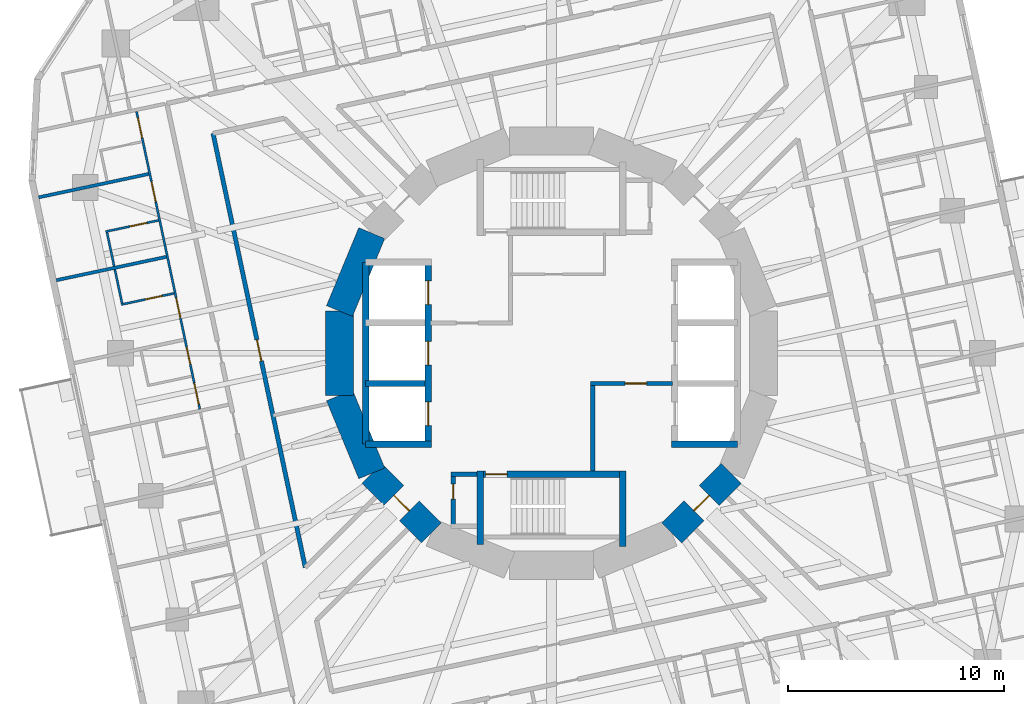
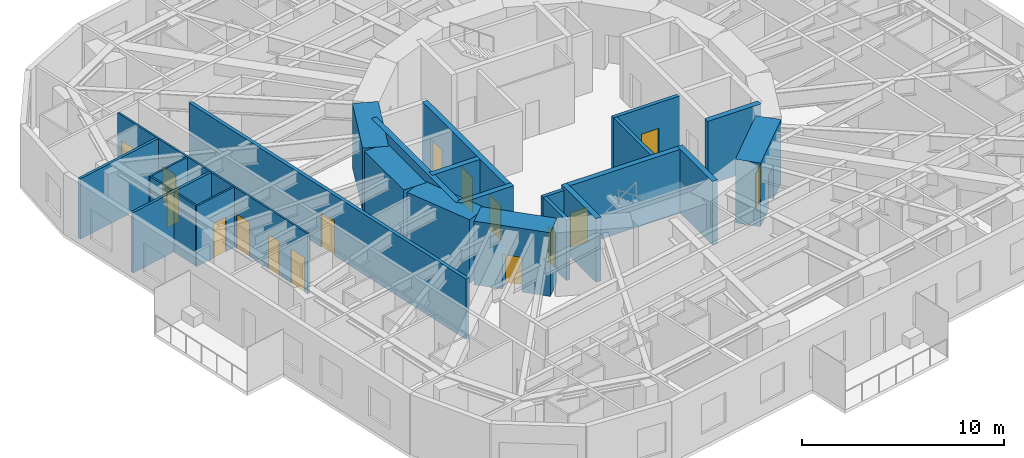
# One storey, part 6 of 13: 25 walls, 16 doors, 16 openings.
"""IFC4 building model written with IfcOpenShell, lengths in metres."""

from ifc_helpers import new_model, si_unit, direction, frame, frame_2d, origin, place, context, subcontext, project, spatial, rectangle, extrude, material, layer, layer_set, type_object, element, fill, save


model = new_model("IFC4")

# Units and contexts
model_context = context("Model", 3, precision=1e-05, world=origin(), true_north=direction((0.0, 1.0)))
body_context = subcontext(model_context, "Body", "Model", "MODEL_VIEW")
ifc_project = project(units=[si_unit("LENGTHUNIT", "METRE"), si_unit("AREAUNIT", "SQUARE_METRE"), si_unit("VOLUMEUNIT", "CUBIC_METRE"), si_unit("PLANEANGLEUNIT", "RADIAN"), si_unit("MASSUNIT", "GRAM", prefix="KILO")], contexts=[model_context])

# Site, building, storey
site_placement = place(None, origin())
site = spatial("IfcSite", under=ifc_project, at=site_placement, CompositionType="ELEMENT")
building_placement = place(site_placement, origin())
building = spatial("IfcBuilding", under=site, at=building_placement, Name="Nakasero Lantern House", CompositionType="ELEMENT")
storey_placement = place(building_placement, frame((0.0, 0.0, 131.949951171875)))
storey = spatial("IfcBuildingStorey", under=building, at=storey_placement, Name="L32", CompositionType="ELEMENT", Elevation=131.949951171875)

# Wall, openings, doors
ifc_material_1 = material(Name="Blockwork", Category="masonry")
ifc_layer_1 = layer(ifc_material_1, 0.10009765625)
ifc_layer_set_1 = layer_set([ifc_layer_1], Name="Cluster hall wall 100")
wall_type_1 = type_object("IfcWallType", Name="Cluster hall wall 100", PredefinedType="PARTITIONING", material=ifc_layer_set_1)
wall_1_placement = place(storey_placement, frame((-19.193603515625, 11.1787109375, 0.0), z_axis=(0.0, 0.0, 1.0), x_axis=(0.207904606415, -0.978149106543, 0.0)))
wall_1 = element("IfcWall", 1, at=wall_1_placement, inside=storey, type_object=wall_type_1, Name="Cluster hall wall L32 HW2-0", PredefinedType="PARTITIONING", context=body_context, shape_type="SweptSolid", body=[
    extrude(rectangle(XDim=14.073974609375, YDim=0.10009765625, at=frame_2d((7.037109375, 0.0))), origin(), (0.0, 0.0, 1.0), 3.650146484375),
])
opening_1_placement = place(wall_1_placement, frame((12.848876953125, 0.0, 0.0)))
opening_1 = element("IfcOpeningElement", 2, at=opening_1_placement, cuts=wall_1, Name="Opening D03", PredefinedType="OPENING", context=body_context, shape_type="SweptSolid", body=[
    extrude(rectangle(XDim=1.0, YDim=2.10009765625, at=frame_2d((0.5, 1.050048828125))), frame((0.0, 0.070068359375, 0.0), z_axis=(0.0, -1.0, 0.0), x_axis=(1.0, 0.0, 0.0)), (0.0, 0.0, 1.0), 0.14013671875),
])
opening_2_placement = place(wall_1_placement, frame((11.155029296875, 0.0, 0.0)))
opening_2 = element("IfcOpeningElement", 3, at=opening_2_placement, cuts=wall_1, Name="Opening D02", PredefinedType="OPENING", context=body_context, shape_type="SweptSolid", body=[
    extrude(rectangle(XDim=0.800048828125, YDim=2.10009765625, at=frame_2d((0.39990234375, 1.050048828125))), frame((0.0, 0.070068359375, 0.0), z_axis=(0.0, -1.0, 0.0), x_axis=(1.0, 0.0, 0.0)), (0.0, 0.0, 1.0), 0.14013671875),
])
opening_3_placement = place(wall_1_placement, frame((0.300048828125, 0.0, 0.0)))
opening_3 = element("IfcOpeningElement", 4, at=opening_3_placement, cuts=wall_1, Name="Opening D01", PredefinedType="OPENING", context=body_context, shape_type="SweptSolid", body=[
    extrude(rectangle(XDim=0.949951171875, YDim=2.10009765625, at=frame_2d((0.47509765625, 1.050048828125))), frame((0.0, 0.070068359375, 0.0), z_axis=(0.0, -1.0, 0.0), x_axis=(1.0, 0.0, 0.0)), (0.0, 0.0, 1.0), 0.14013671875),
])
opening_4_placement = place(wall_1_placement, frame((3.316162109375, 0.0, 0.0)))
opening_4 = element("IfcOpeningElement", 5, at=opening_4_placement, cuts=wall_1, Name="Opening D01", PredefinedType="OPENING", context=body_context, shape_type="SweptSolid", body=[
    extrude(rectangle(XDim=0.949951171875, YDim=2.10009765625, at=frame_2d((0.47509765625, 1.050048828125))), frame((0.0, 0.070068359375, 0.0), z_axis=(0.0, -1.0, 0.0), x_axis=(1.0, 0.0, 0.0)), (0.0, 0.0, 1.0), 0.14013671875),
])
opening_5_placement = place(wall_1_placement, frame((8.810546875, 0.0, 0.0)))
opening_5 = element("IfcOpeningElement", 6, at=opening_5_placement, cuts=wall_1, Name="Opening D01", PredefinedType="OPENING", context=body_context, shape_type="SweptSolid", body=[
    extrude(rectangle(XDim=0.949951171875, YDim=2.10009765625, at=frame_2d((0.47509765625, 1.050048828125))), frame((0.0, 0.070068359375, 0.0), z_axis=(0.0, -1.0, 0.0), x_axis=(1.0, 0.0, 0.0)), (0.0, 0.0, 1.0), 0.14013671875),
])
ifc_material_2 = material(Name="Timber C24", Category="wood")
door_type_1 = type_object("IfcDoorType", Name="Bedroom door FD30S 950", OperationType="SINGLE_SWING_LEFT", PredefinedType="DOOR", material=ifc_material_2)
door_1_placement = place(opening_3_placement, origin())
door_1 = element("IfcDoor", 7, at=door_1_placement, inside=storey, type_object=door_type_1, Name="Door L32 D2-00", OperationType="SINGLE_SWING_LEFT", OverallHeight=2.10009765625, OverallWidth=0.949951171875, PredefinedType="DOOR", context=body_context, shape_type="SweptSolid", body=[
    extrude(rectangle(XDim=0.949951171875, YDim=2.10009765625, at=frame_2d((0.47509765625, 1.050048828125))), frame((0.0, 0.02490234375, 0.0), z_axis=(0.0, -1.0, 0.0), x_axis=(1.0, 0.0, 0.0)), (0.0, 0.0, 1.0), 0.050048828125),
])
fill(opening_3, door_1)
door_2_placement = place(opening_4_placement, origin())
door_2 = element("IfcDoor", 8, at=door_2_placement, inside=storey, type_object=door_type_1, Name="Door L32 D2-01", OperationType="SINGLE_SWING_LEFT", OverallHeight=2.10009765625, OverallWidth=0.949951171875, PredefinedType="DOOR", context=body_context, shape_type="SweptSolid", body=[
    extrude(rectangle(XDim=0.949951171875, YDim=2.10009765625, at=frame_2d((0.47509765625, 1.050048828125))), frame((0.0, 0.02490234375, 0.0), z_axis=(0.0, -1.0, 0.0), x_axis=(1.0, 0.0, 0.0)), (0.0, 0.0, 1.0), 0.050048828125),
])
fill(opening_4, door_2)
door_3_placement = place(opening_5_placement, origin())
door_3 = element("IfcDoor", 9, at=door_3_placement, inside=storey, type_object=door_type_1, Name="Door L32 D2-02", OperationType="SINGLE_SWING_RIGHT", OverallHeight=2.10009765625, OverallWidth=0.949951171875, PredefinedType="DOOR", context=body_context, shape_type="SweptSolid", body=[
    extrude(rectangle(XDim=0.949951171875, YDim=2.10009765625, at=frame_2d((0.47509765625, 1.050048828125))), frame((0.0, 0.02490234375, 0.0), z_axis=(0.0, -1.0, 0.0), x_axis=(1.0, 0.0, 0.0)), (0.0, 0.0, 1.0), 0.050048828125),
])
fill(opening_5, door_3)
ifc_material_3 = material(Name="Timber C24", Category="wood")
door_type_2 = type_object("IfcDoorType", Name="En-suite door 800", OperationType="SINGLE_SWING_RIGHT", PredefinedType="DOOR", material=ifc_material_3)
door_4_placement = place(opening_2_placement, origin())
door_4 = element("IfcDoor", 10, at=door_4_placement, inside=storey, type_object=door_type_2, Name="Door L32 DSH2-0", OperationType="SINGLE_SWING_RIGHT", OverallHeight=2.10009765625, OverallWidth=0.800048828125, PredefinedType="DOOR", context=body_context, shape_type="SweptSolid", body=[
    extrude(rectangle(XDim=0.800048828125, YDim=2.10009765625, at=frame_2d((0.39990234375, 1.050048828125))), frame((0.0, 0.02490234375, 0.0), z_axis=(0.0, -1.0, 0.0), x_axis=(1.0, 0.0, 0.0)), (0.0, 0.0, 1.0), 0.050048828125),
])
fill(opening_2, door_4)
ifc_material_4 = material(Name="Timber C24", Category="wood")
door_type_3 = type_object("IfcDoorType", Name="Lounge door FD30S 1000", OperationType="SINGLE_SWING_LEFT", PredefinedType="DOOR", material=ifc_material_4)
door_5_placement = place(opening_1_placement, origin())
door_5 = element("IfcDoor", 11, at=door_5_placement, inside=storey, type_object=door_type_3, Name="Door L32 DH2-0", OperationType="SINGLE_SWING_RIGHT", OverallHeight=2.10009765625, OverallWidth=1.0, PredefinedType="DOOR", context=body_context, shape_type="SweptSolid", body=[
    extrude(rectangle(XDim=1.0, YDim=2.10009765625, at=frame_2d((0.5, 1.050048828125))), frame((0.0, 0.02490234375, 0.0), z_axis=(0.0, -1.0, 0.0), x_axis=(1.0, 0.0, 0.0)), (0.0, 0.0, 1.0), 0.050048828125),
])
fill(opening_1, door_5)

ifc_material_5 = material(Name="Concrete C50/60", Category="concrete")
ifc_layer_2 = layer(ifc_material_5, 0.300048828125)
ifc_layer_set_2 = layer_set([ifc_layer_2], Name="Core inner wall 300")
wall_type_2 = type_object("IfcWallType", Name="Core inner wall 300", PredefinedType="SHEAR", material=ifc_layer_set_2)
wall_2_placement = place(storey_placement, frame((-5.699951171875, -4.199951171875, 0.0), z_axis=(0.0, 0.0, 1.0), x_axis=(0.0, 1.0, 0.0)))
wall_2 = element("IfcWall", 12, at=wall_2_placement, inside=storey, type_object=wall_type_2, Name="Core inner wall L32 LW", PredefinedType="SHEAR", context=body_context, shape_type="SweptSolid", body=[
    extrude(rectangle(XDim=8.39990234375, YDim=0.300048828125, at=frame_2d((4.199951171875, 0.0))), origin(), (0.0, 0.0, 1.0), 3.85009765625),
])
opening_6_placement = place(wall_2_placement, frame((0.85009765625, 0.0, 0.0)))
opening_6 = element("IfcOpeningElement", 13, at=opening_6_placement, cuts=wall_2, Name="Opening LD", PredefinedType="OPENING", context=body_context, shape_type="SweptSolid", body=[
    extrude(rectangle(XDim=1.10009765625, YDim=2.10009765625, at=frame_2d((0.550048828125, 1.050048828125))), frame((0.0, 0.169921875, 0.0), z_axis=(0.0, -1.0, 0.0), x_axis=(1.0, 0.0, 0.0)), (0.0, 0.0, 1.0), 0.340087890625),
])
opening_7_placement = place(wall_2_placement, frame((3.64990234375, 0.0, 0.0)))
opening_7 = element("IfcOpeningElement", 14, at=opening_7_placement, cuts=wall_2, Name="Opening LD", PredefinedType="OPENING", context=body_context, shape_type="SweptSolid", body=[
    extrude(rectangle(XDim=1.10009765625, YDim=2.10009765625, at=frame_2d((0.550048828125, 1.050048828125))), frame((0.0, 0.169921875, 0.0), z_axis=(0.0, -1.0, 0.0), x_axis=(1.0, 0.0, 0.0)), (0.0, 0.0, 1.0), 0.340087890625),
])
opening_8_placement = place(wall_2_placement, frame((6.449951171875, 0.0, 0.0)))
opening_8 = element("IfcOpeningElement", 15, at=opening_8_placement, cuts=wall_2, Name="Opening LD", PredefinedType="OPENING", context=body_context, shape_type="SweptSolid", body=[
    extrude(rectangle(XDim=1.10009765625, YDim=2.10009765625, at=frame_2d((0.550048828125, 1.050048828125))), frame((0.0, 0.169921875, 0.0), z_axis=(0.0, -1.0, 0.0), x_axis=(1.0, 0.0, 0.0)), (0.0, 0.0, 1.0), 0.340087890625),
])
ifc_material_6 = material(Name="Steel S355", Category="steel")
door_type_4 = type_object("IfcDoorType", Name="Lift landing door E120 1100", OperationType="SLIDING_TO_LEFT", PredefinedType="DOOR", material=ifc_material_6)
door_6_placement = place(opening_6_placement, origin())
door_6 = element("IfcDoor", 16, at=door_6_placement, inside=storey, type_object=door_type_4, Name="Lift landing door LW1", OperationType="SLIDING_TO_LEFT", OverallHeight=2.10009765625, OverallWidth=1.10009765625, PredefinedType="DOOR", context=body_context, shape_type="SweptSolid", body=[
    extrude(rectangle(XDim=1.10009765625, YDim=2.10009765625, at=frame_2d((0.550048828125, 1.050048828125))), frame((0.0, 0.02490234375, 0.0), z_axis=(0.0, -1.0, 0.0), x_axis=(1.0, 0.0, 0.0)), (0.0, 0.0, 1.0), 0.050048828125),
])
fill(opening_6, door_6)
door_7_placement = place(opening_7_placement, origin())
door_7 = element("IfcDoor", 17, at=door_7_placement, inside=storey, type_object=door_type_4, Name="Lift landing door LW2", OperationType="SLIDING_TO_LEFT", OverallHeight=2.10009765625, OverallWidth=1.10009765625, PredefinedType="DOOR", context=body_context, shape_type="SweptSolid", body=[
    extrude(rectangle(XDim=1.10009765625, YDim=2.10009765625, at=frame_2d((0.550048828125, 1.050048828125))), frame((0.0, 0.02490234375, 0.0), z_axis=(0.0, -1.0, 0.0), x_axis=(1.0, 0.0, 0.0)), (0.0, 0.0, 1.0), 0.050048828125),
])
fill(opening_7, door_7)
door_8_placement = place(opening_8_placement, origin())
door_8 = element("IfcDoor", 18, at=door_8_placement, inside=storey, type_object=door_type_4, Name="Lift landing door LW3", OperationType="SLIDING_TO_LEFT", OverallHeight=2.10009765625, OverallWidth=1.10009765625, PredefinedType="DOOR", context=body_context, shape_type="SweptSolid", body=[
    extrude(rectangle(XDim=1.10009765625, YDim=2.10009765625, at=frame_2d((0.550048828125, 1.050048828125))), frame((0.0, 0.02490234375, 0.0), z_axis=(0.0, -1.0, 0.0), x_axis=(1.0, 0.0, 0.0)), (0.0, 0.0, 1.0), 0.050048828125),
])
fill(opening_8, door_8)

# Walls
for number, where, z_axis, x_axis, name in (
    (19, (-8.60009765625, -4.199951171875, 0.0), (0.0, 0.0, 1.0), (1.0, 0.0, 0.0), "Core inner wall L32 LWS"),
    (20, (5.550048828125, -4.199951171875, 0.0), (0.0, 0.0, 1.0), (1.0, 0.0, 0.0), "Core inner wall L32 LES"),
):
    element("IfcWall", number, at=place(storey_placement, frame(where, z_axis=z_axis, x_axis=x_axis)), inside=storey, type_object=wall_type_2, Name=name, PredefinedType="SHEAR", context=body_context, shape_type="SweptSolid", body=[
        extrude(rectangle(XDim=3.050048828125, YDim=0.300048828125, at=frame_2d((1.52490234375, 0.0))), origin(), (0.0, 0.0, 1.0), 3.85009765625),
    ])
wall_3_placement = place(storey_placement, frame((-8.60009765625, -4.199951171875, 0.0), z_axis=(0.0, 0.0, 1.0), x_axis=(0.0, 1.0, 0.0)))
element("IfcWall", 21, at=wall_3_placement, inside=storey, type_object=wall_type_2, Name="Core inner wall L32 LWB", PredefinedType="SHEAR", context=body_context, shape_type="SweptSolid", body=[
    extrude(rectangle(XDim=8.39990234375, YDim=0.300048828125, at=frame_2d((4.199951171875, 0.0))), origin(), (0.0, 0.0, 1.0), 3.85009765625),
])
wall_4_placement = place(storey_placement, frame((-8.60009765625, -1.39990234375, 0.0), z_axis=(0.0, 0.0, 1.0), x_axis=(1.0, 0.0, 0.0)))
element("IfcWall", 22, at=wall_4_placement, inside=storey, type_object=wall_type_2, Name="Core inner wall L32 LW1", PredefinedType="SHEAR", context=body_context, shape_type="SweptSolid", body=[
    extrude(rectangle(XDim=2.75, YDim=0.300048828125, at=frame_2d((1.375, 0.0))), origin(), (0.0, 0.0, 1.0), 3.85009765625),
])

# Wall, opening, door
wall_5_placement = place(storey_placement, frame((-3.449951171875, -5.60009765625, 0.0), z_axis=(0.0, 0.0, 1.0), x_axis=(1.0, 0.0, 0.0)))
wall_5 = element("IfcWall", 23, at=wall_5_placement, inside=storey, type_object=wall_type_2, Name="Core inner wall L32 SS", PredefinedType="SHEAR", context=body_context, shape_type="SweptSolid", body=[
    extrude(rectangle(XDim=6.89990234375, YDim=0.300048828125, at=frame_2d((3.449951171875, 0.0))), origin(), (0.0, 0.0, 1.0), 3.85009765625),
])
opening_9_placement = place(wall_5_placement, frame((0.39990234375, 0.0, 0.0)))
opening_9 = element("IfcOpeningElement", 24, at=opening_9_placement, cuts=wall_5, Name="Opening D05", PredefinedType="OPENING", context=body_context, shape_type="SweptSolid", body=[
    extrude(rectangle(XDim=1.0, YDim=2.10009765625, at=frame_2d((0.5, 1.050048828125))), frame((0.0, 0.169921875, 0.0), z_axis=(0.0, -1.0, 0.0), x_axis=(1.0, 0.0, 0.0)), (0.0, 0.0, 1.0), 0.340087890625),
])
ifc_material_7 = material(Name="Timber C24", Category="wood")
door_type_5 = type_object("IfcDoorType", Name="Core door FD60S 1000", OperationType="SINGLE_SWING_LEFT", PredefinedType="DOOR", material=ifc_material_7)
door_9_placement = place(opening_9_placement, origin())
door_9 = element("IfcDoor", 25, at=door_9_placement, inside=storey, type_object=door_type_5, Name="Door L32 D-ST2", OperationType="SINGLE_SWING_LEFT", OverallHeight=2.10009765625, OverallWidth=1.0, PredefinedType="DOOR", context=body_context, shape_type="SweptSolid", body=[
    extrude(rectangle(XDim=1.0, YDim=2.10009765625, at=frame_2d((0.5, 1.050048828125))), frame((0.0, 0.02490234375, 0.0), z_axis=(0.0, -1.0, 0.0), x_axis=(1.0, 0.0, 0.0)), (0.0, 0.0, 1.0), 0.050048828125),
])
fill(opening_9, door_9)

# Walls
wall_6_placement = place(storey_placement, frame((-3.300048828125, -5.449951171875, 0.0), z_axis=(0.0, 0.0, 1.0), x_axis=(0.0, -1.0, 0.0)))
element("IfcWall", 26, at=wall_6_placement, inside=storey, type_object=wall_type_2, Name="Core inner wall L32 SSW", PredefinedType="SHEAR", context=body_context, shape_type="SweptSolid", body=[
    extrude(rectangle(XDim=3.400146484375, YDim=0.300048828125, at=frame_2d((1.7001953125, 0.0))), origin(), (0.0, 0.0, 1.0), 3.85009765625),
])
wall_7_placement = place(storey_placement, frame((3.300048828125, -5.449951171875, 0.0), z_axis=(0.0, 0.0, 1.0), x_axis=(0.0, -1.0, 0.0)))
element("IfcWall", 27, at=wall_7_placement, inside=storey, type_object=wall_type_2, Name="Core inner wall L32 SSE", PredefinedType="SHEAR", context=body_context, shape_type="SweptSolid", body=[
    extrude(rectangle(XDim=3.5, YDim=0.300048828125, at=frame_2d((1.75, 0.0))), origin(), (0.0, 0.0, 1.0), 3.85009765625),
])
ifc_material_8 = material(Name="Concrete C50/60", Category="concrete")
ifc_layer_3 = layer(ifc_material_8, 1.300048828125)
ifc_layer_set_3 = layer_set([ifc_layer_3], Name="Core wall 1300")
wall_type_3 = type_object("IfcWallType", Name="Core wall 1300", PredefinedType="SHEAR", material=ifc_layer_set_3)
for number, where, z_axis, x_axis, name in (
    (28, (-8.314697265625, 5.5556640625, 0.0), (0.0, 0.0, 1.0), (-0.382690736062, -0.923876507187, 0.0), "Core wall L32 facet 7"),
    (29, (-9.807861328125, 1.950927734375, 0.0), (0.0, 0.0, 1.0), (0.0, -1.0, 0.0), "Core wall L32 facet 8"),
    (30, (-9.807861328125, -1.950927734375, 0.0), (0.0, 0.0, 1.0), (0.382690736062, -0.923876507187, 0.0), "Core wall L32 facet 9"),
):
    element("IfcWall", number, at=place(storey_placement, frame(where, z_axis=z_axis, x_axis=x_axis)), inside=storey, type_object=wall_type_3, Name=name, PredefinedType="SHEAR", context=body_context, shape_type="SweptSolid", body=[
        extrude(rectangle(XDim=3.90185546875, YDim=1.300048828125, at=frame_2d((1.950927734375, 0.0))), origin(), (0.0, 0.0, 1.0), 3.85009765625),
    ])

# Wall, opening, door
wall_8_placement = place(storey_placement, frame((-8.314697265625, -5.5556640625, 0.0), z_axis=(0.0, 0.0, 1.0), x_axis=(0.707106781187, -0.707106781187, 0.0)))
wall_8 = element("IfcWall", 31, at=wall_8_placement, inside=storey, type_object=wall_type_3, Name="Core wall L32 facet 10", PredefinedType="SHEAR", context=body_context, shape_type="SweptSolid", body=[
    extrude(rectangle(XDim=3.90185546875, YDim=1.300048828125, at=frame_2d((1.950927734375, 0.0))), origin(), (0.0, 0.0, 1.0), 3.85009765625),
])
opening_10_placement = place(wall_8_placement, frame((1.450927734375, 0.0, 0.0)))
opening_10 = element("IfcOpeningElement", 32, at=opening_10_placement, cuts=wall_8, Name="Opening D05", PredefinedType="OPENING", context=body_context, shape_type="SweptSolid", body=[
    extrude(rectangle(XDim=1.0, YDim=2.10009765625, at=frame_2d((0.5, 1.050048828125))), frame((0.0, 0.669921875, 0.0), z_axis=(0.0, -1.0, 0.0), x_axis=(1.0, 0.0, 0.0)), (0.0, 0.0, 1.0), 1.340087890625),
])
door_10_placement = place(opening_10_placement, origin())
door_10 = element("IfcDoor", 33, at=door_10_placement, inside=storey, type_object=door_type_5, Name="Door L32 D-CORE10", OperationType="SINGLE_SWING_LEFT", OverallHeight=2.10009765625, OverallWidth=1.0, PredefinedType="DOOR", context=body_context, shape_type="SweptSolid", body=[
    extrude(rectangle(XDim=1.0, YDim=2.10009765625, at=frame_2d((0.5, 1.050048828125))), frame((0.0, 0.02490234375, 0.0), z_axis=(0.0, -1.0, 0.0), x_axis=(1.0, 0.0, 0.0)), (0.0, 0.0, 1.0), 0.050048828125),
])
fill(opening_10, door_10)

wall_9_placement = place(storey_placement, frame((5.5556640625, -8.314697265625, 0.0), z_axis=(0.0, 0.0, 1.0), x_axis=(0.707106781187, 0.707106781187, 0.0)))
wall_9 = element("IfcWall", 34, at=wall_9_placement, inside=storey, type_object=wall_type_3, Name="Core wall L32 facet 14", PredefinedType="SHEAR", context=body_context, shape_type="SweptSolid", body=[
    extrude(rectangle(XDim=3.90185546875, YDim=1.300048828125, at=frame_2d((1.950927734375, 0.0))), origin(), (0.0, 0.0, 1.0), 3.85009765625),
])
opening_11_placement = place(wall_9_placement, frame((1.450927734375, 0.0, 0.0)))
opening_11 = element("IfcOpeningElement", 35, at=opening_11_placement, cuts=wall_9, Name="Opening D05", PredefinedType="OPENING", context=body_context, shape_type="SweptSolid", body=[
    extrude(rectangle(XDim=1.0, YDim=2.10009765625, at=frame_2d((0.5, 1.050048828125))), frame((0.0, 0.669921875, 0.0), z_axis=(0.0, -1.0, 0.0), x_axis=(1.0, 0.0, 0.0)), (0.0, 0.0, 1.0), 1.340087890625),
])
door_11_placement = place(opening_11_placement, origin())
door_11 = element("IfcDoor", 36, at=door_11_placement, inside=storey, type_object=door_type_5, Name="Door L32 D-CORE14", OperationType="SINGLE_SWING_LEFT", OverallHeight=2.10009765625, OverallWidth=1.0, PredefinedType="DOOR", context=body_context, shape_type="SweptSolid", body=[
    extrude(rectangle(XDim=1.0, YDim=2.10009765625, at=frame_2d((0.5, 1.050048828125))), frame((0.0, 0.02490234375, 0.0), z_axis=(0.0, -1.0, 0.0), x_axis=(1.0, 0.0, 0.0)), (0.0, 0.0, 1.0), 0.050048828125),
])
fill(opening_11, door_11)

ifc_material_9 = material(Name="Blockwork", Category="masonry")
ifc_layer_4 = layer(ifc_material_9, 0.199951171875)
ifc_layer_set_4 = layer_set([ifc_layer_4], Name="Corridor wall 200")
wall_type_4 = type_object("IfcWallType", Name="Corridor wall 200", PredefinedType="PARTITIONING", material=ifc_layer_set_4)
wall_10_placement = place(storey_placement, frame((-15.656005859375, 10.1669921875, 0.0), z_axis=(0.0, 0.0, 1.0), x_axis=(0.207910266073, -0.978147903572, 0.0)))
wall_10 = element("IfcWall", 37, at=wall_10_placement, inside=storey, type_object=wall_type_4, Name="Corridor wall L32 IW2-0", PredefinedType="PARTITIONING", context=body_context, shape_type="SweptSolid", body=[
    extrude(rectangle(XDim=20.520263671875, YDim=0.199951171875, at=frame_2d((10.26025390625, 0.0))), origin(), (0.0, 0.0, 1.0), 3.650146484375),
])
opening_12_placement = place(wall_10_placement, frame((9.760009765625, 0.0, 0.0)))
opening_12 = element("IfcOpeningElement", 38, at=opening_12_placement, cuts=wall_10, Name="Opening D07", PredefinedType="OPENING", context=body_context, shape_type="SweptSolid", body=[
    extrude(rectangle(XDim=1.0, YDim=2.10009765625, at=frame_2d((0.5, 1.050048828125))), frame((0.0, 0.119873046875, 0.0), z_axis=(0.0, -1.0, 0.0), x_axis=(1.0, 0.0, 0.0)), (0.0, 0.0, 1.0), 0.239990234375),
])
ifc_material_10 = material(Name="Timber C24", Category="wood")
door_type_6 = type_object("IfcDoorType", Name="Room door FD30S 1000", OperationType="SINGLE_SWING_LEFT", PredefinedType="DOOR", material=ifc_material_10)
door_12_placement = place(opening_12_placement, origin())
door_12 = element("IfcDoor", 39, at=door_12_placement, inside=storey, type_object=door_type_6, Name="Door L32 DI6", OperationType="SINGLE_SWING_RIGHT", OverallHeight=2.10009765625, OverallWidth=1.0, PredefinedType="DOOR", context=body_context, shape_type="SweptSolid", body=[
    extrude(rectangle(XDim=1.0, YDim=2.10009765625, at=frame_2d((0.5, 1.050048828125))), frame((0.0, 0.02490234375, 0.0), z_axis=(0.0, -1.0, 0.0), x_axis=(1.0, 0.0, 0.0)), (0.0, 0.0, 1.0), 0.050048828125),
])
fill(opening_12, door_12)

ifc_material_11 = material(Name="Blockwork", Category="masonry")
ifc_layer_5 = layer(ifc_material_11, 0.10009765625)
ifc_layer_set_5 = layer_set([ifc_layer_5], Name="En-suite wall 100")
wall_type_5 = type_object("IfcWallType", Name="En-suite wall 100", PredefinedType="PARTITIONING", material=ifc_layer_set_5)
wall_11_placement = place(storey_placement, frame((-18.1748046875, 6.14501953125, 0.0), z_axis=(0.0, 0.0, 1.0), x_axis=(-0.978127070851, -0.208008252887, 0.0)))
wall_11 = element("IfcWall", 40, at=wall_11_placement, inside=storey, type_object=wall_type_5, Name="En-suite wall L32 ES2-01", PredefinedType="PARTITIONING", context=body_context, shape_type="SweptSolid", body=[
    extrude(rectangle(XDim=2.5, YDim=0.10009765625, at=frame_2d((1.25, 0.0))), origin(), (0.0, 0.0, 1.0), 3.650146484375),
])
opening_13_placement = place(wall_11_placement, frame((0.550048828125, 0.0, 0.0)))
opening_13 = element("IfcOpeningElement", 41, at=opening_13_placement, cuts=wall_11, Name="Opening D02", PredefinedType="OPENING", context=body_context, shape_type="SweptSolid", body=[
    extrude(rectangle(XDim=0.800048828125, YDim=2.10009765625, at=frame_2d((0.39990234375, 1.050048828125))), frame((0.0, 0.070068359375, 0.0), z_axis=(0.0, -1.0, 0.0), x_axis=(1.0, 0.0, 0.0)), (0.0, 0.0, 1.0), 0.14013671875),
])
door_13_placement = place(opening_13_placement, origin())
door_13 = element("IfcDoor", 42, at=door_13_placement, inside=storey, type_object=door_type_2, Name="Door L32 DE2-01", OperationType="SINGLE_SWING_LEFT", OverallHeight=2.10009765625, OverallWidth=0.800048828125, PredefinedType="DOOR", context=body_context, shape_type="SweptSolid", body=[
    extrude(rectangle(XDim=0.800048828125, YDim=2.10009765625, at=frame_2d((0.39990234375, 1.050048828125))), frame((0.0, 0.02490234375, 0.0), z_axis=(0.0, -1.0, 0.0), x_axis=(1.0, 0.0, 0.0)), (0.0, 0.0, 1.0), 0.050048828125),
])
fill(opening_13, door_13)

# Wall
wall_12_placement = place(storey_placement, frame((-20.560791015625, 5.586669921875, 0.0), z_axis=(0.0, 0.0, 1.0), x_axis=(0.207809485755, -0.97816931951, 0.0)))
element("IfcWall", 43, at=wall_12_placement, inside=storey, type_object=wall_type_5, Name="En-suite wall L32 EE2-01", PredefinedType="PARTITIONING", context=body_context, shape_type="SweptSolid", body=[
    extrude(rectangle(XDim=1.60009765625, YDim=0.10009765625, at=frame_2d((0.800048828125, 0.0))), origin(), (0.0, 0.0, 1.0), 3.650146484375),
])

# Wall, opening, door
wall_13_placement = place(storey_placement, frame((-17.45751953125, 2.770263671875, 0.0), z_axis=(0.0, 0.0, 1.0), x_axis=(-0.978146935828, -0.207914818928, 0.0)))
wall_13 = element("IfcWall", 44, at=wall_13_placement, inside=storey, type_object=wall_type_5, Name="En-suite wall L32 ES2-02", PredefinedType="PARTITIONING", context=body_context, shape_type="SweptSolid", body=[
    extrude(rectangle(XDim=2.5, YDim=0.10009765625, at=frame_2d((1.25, 0.0))), origin(), (0.0, 0.0, 1.0), 3.650146484375),
])
opening_14_placement = place(wall_13_placement, frame((0.550048828125, 0.0, 0.0)))
opening_14 = element("IfcOpeningElement", 45, at=opening_14_placement, cuts=wall_13, Name="Opening D02", PredefinedType="OPENING", context=body_context, shape_type="SweptSolid", body=[
    extrude(rectangle(XDim=0.800048828125, YDim=2.10009765625, at=frame_2d((0.39990234375, 1.050048828125))), frame((0.0, 0.070068359375, 0.0), z_axis=(0.0, -1.0, 0.0), x_axis=(1.0, 0.0, 0.0)), (0.0, 0.0, 1.0), 0.14013671875),
])
door_14_placement = place(opening_14_placement, origin())
door_14 = element("IfcDoor", 46, at=door_14_placement, inside=storey, type_object=door_type_2, Name="Door L32 DE2-02", OperationType="SINGLE_SWING_LEFT", OverallHeight=2.10009765625, OverallWidth=0.800048828125, PredefinedType="DOOR", context=body_context, shape_type="SweptSolid", body=[
    extrude(rectangle(XDim=0.800048828125, YDim=2.10009765625, at=frame_2d((0.39990234375, 1.050048828125))), frame((0.0, 0.02490234375, 0.0), z_axis=(0.0, -1.0, 0.0), x_axis=(1.0, 0.0, 0.0)), (0.0, 0.0, 1.0), 0.050048828125),
])
fill(opening_14, door_14)

# Wall
wall_14_placement = place(storey_placement, frame((-20.197021484375, 3.874755859375, 0.0), z_axis=(0.0, 0.0, 1.0), x_axis=(0.207986505584, -0.978131695374, 0.0)))
element("IfcWall", 47, at=wall_14_placement, inside=storey, type_object=wall_type_5, Name="En-suite wall L32 EE2-02", PredefinedType="PARTITIONING", context=body_context, shape_type="SweptSolid", body=[
    extrude(rectangle(XDim=1.599853515625, YDim=0.10009765625, at=frame_2d((0.7998046875, 0.0))), origin(), (0.0, 0.0, 1.0), 3.650146484375),
])

# Wall, opening, door
ifc_material_12 = material(Name="Blockwork", Category="masonry")
ifc_layer_6 = layer(ifc_material_12, 0.199951171875)
ifc_layer_set_6 = layer_set([ifc_layer_6], Name="Fire lobby wall 200")
wall_type_6 = type_object("IfcWallType", Name="Fire lobby wall 200", PredefinedType="PARTITIONING", material=ifc_layer_set_6)
wall_15_placement = place(storey_placement, frame((5.60009765625, -1.39990234375, 0.0), z_axis=(0.0, 0.0, 1.0), x_axis=(-1.0, 0.0, 0.0)))
wall_15 = element("IfcWall", 48, at=wall_15_placement, inside=storey, type_object=wall_type_6, Name="Fire lobby wall L32 W-FL2N", PredefinedType="PARTITIONING", context=body_context, shape_type="SweptSolid", body=[
    extrude(rectangle(XDim=3.800048828125, YDim=0.199951171875, at=frame_2d((1.89990234375, 0.0))), origin(), (0.0, 0.0, 1.0), 3.650146484375),
])
opening_15_placement = place(wall_15_placement, frame((1.199951171875, 0.0, 0.0)))
opening_15 = element("IfcOpeningElement", 49, at=opening_15_placement, cuts=wall_15, Name="Opening D05", PredefinedType="OPENING", context=body_context, shape_type="SweptSolid", body=[
    extrude(rectangle(XDim=1.0, YDim=2.10009765625, at=frame_2d((0.5, 1.050048828125))), frame((0.0, 0.119873046875, 0.0), z_axis=(0.0, -1.0, 0.0), x_axis=(1.0, 0.0, 0.0)), (0.0, 0.0, 1.0), 0.239990234375),
])
door_15_placement = place(opening_15_placement, origin())
door_15 = element("IfcDoor", 50, at=door_15_placement, inside=storey, type_object=door_type_5, Name="Door L32 D-FL2", OperationType="SINGLE_SWING_LEFT", OverallHeight=2.10009765625, OverallWidth=1.0, PredefinedType="DOOR", context=body_context, shape_type="SweptSolid", body=[
    extrude(rectangle(XDim=1.0, YDim=2.10009765625, at=frame_2d((0.5, 1.050048828125))), frame((0.0, 0.02490234375, 0.0), z_axis=(0.0, -1.0, 0.0), x_axis=(1.0, 0.0, 0.0)), (0.0, 0.0, 1.0), 0.050048828125),
])
fill(opening_15, door_15)

# Wall
wall_16_placement = place(storey_placement, frame((1.89990234375, -1.5, 0.0), z_axis=(0.0, 0.0, 1.0), x_axis=(0.0, -1.0, 0.0)))
element("IfcWall", 51, at=wall_16_placement, inside=storey, type_object=wall_type_6, Name="Fire lobby wall L32 W-FL2W", PredefinedType="PARTITIONING", context=body_context, shape_type="SweptSolid", body=[
    extrude(rectangle(XDim=3.949951171875, YDim=0.199951171875, at=frame_2d((1.97509765625, 0.0))), origin(), (0.0, 0.0, 1.0), 3.650146484375),
])

# Wall, opening, door
wall_17_placement = place(storey_placement, frame((-4.550048828125, -5.60009765625, 0.0), z_axis=(0.0, 0.0, 1.0), x_axis=(0.0, -1.0, 0.0)))
wall_17 = element("IfcWall", 52, at=wall_17_placement, inside=storey, type_object=wall_type_6, Name="Fire lobby wall L32 W-RS2W", PredefinedType="PARTITIONING", context=body_context, shape_type="SweptSolid", body=[
    extrude(rectangle(XDim=2.39990234375, YDim=0.199951171875, at=frame_2d((1.199951171875, 0.0))), origin(), (0.0, 0.0, 1.0), 3.650146484375),
])
opening_16_placement = place(wall_17_placement, frame((0.449951171875, 0.0, 0.0)))
opening_16 = element("IfcOpeningElement", 53, at=opening_16_placement, cuts=wall_17, Name="Opening D06", PredefinedType="OPENING", context=body_context, shape_type="SweptSolid", body=[
    extrude(rectangle(XDim=0.699951171875, YDim=2.10009765625, at=frame_2d((0.35009765625, 1.050048828125))), frame((0.0, 0.119873046875, 0.0), z_axis=(0.0, -1.0, 0.0), x_axis=(1.0, 0.0, 0.0)), (0.0, 0.0, 1.0), 0.239990234375),
])
ifc_material_13 = material(Name="Steel S355", Category="steel")
door_type_7 = type_object("IfcDoorType", Name="Riser door FD60 700", OperationType="SINGLE_SWING_LEFT", PredefinedType="DOOR", material=ifc_material_13)
door_16_placement = place(opening_16_placement, origin())
door_16 = element("IfcDoor", 54, at=door_16_placement, inside=storey, type_object=door_type_7, Name="Door L32 D-RS2", OperationType="SINGLE_SWING_LEFT", OverallHeight=2.10009765625, OverallWidth=0.699951171875, PredefinedType="DOOR", context=body_context, shape_type="SweptSolid", body=[
    extrude(rectangle(XDim=0.699951171875, YDim=2.10009765625, at=frame_2d((0.35009765625, 1.050048828125))), frame((0.0, 0.02490234375, 0.0), z_axis=(0.0, -1.0, 0.0), x_axis=(1.0, 0.0, 0.0)), (0.0, 0.0, 1.0), 0.050048828125),
])
fill(opening_16, door_16)

# Walls
wall_18_placement = place(storey_placement, frame((-3.449951171875, -5.60009765625, 0.0), z_axis=(0.0, 0.0, 1.0), x_axis=(-1.0, 0.0, 0.0)))
element("IfcWall", 55, at=wall_18_placement, inside=storey, type_object=wall_type_6, Name="Fire lobby wall L32 W-RS2N", PredefinedType="PARTITIONING", context=body_context, shape_type="SweptSolid", body=[
    extrude(rectangle(XDim=1.199951171875, YDim=0.199951171875, at=frame_2d((0.60009765625, 0.0))), origin(), (0.0, 0.0, 1.0), 3.650146484375),
])
ifc_material_14 = material(Name="Blockwork", Category="masonry")
ifc_layer_7 = layer(ifc_material_14, 0.14990234375)
ifc_layer_set_7 = layer_set([ifc_layer_7], Name="Party wall 150")
wall_type_7 = type_object("IfcWallType", Name="Party wall 150", PredefinedType="PARTITIONING", material=ifc_layer_set_7)
for number, where, z_axis, x_axis, name in (
    (56, (-18.631103515625, 8.29150390625, 0.0), (0.0, 0.0, 1.0), (-0.978139873931, -0.207948039247, 0.0), "Party wall L32 PW2-01"),
    (57, (-17.816162109375, 4.45751953125, 0.0), (0.0, 0.0, 1.0), (-0.978151452323, -0.207893569688, 0.0), "Party wall L32 PW2-02"),
):
    element("IfcWall", number, at=place(storey_placement, frame(where, z_axis=z_axis, x_axis=x_axis)), inside=storey, type_object=wall_type_7, Name=name, PredefinedType="PARTITIONING", context=body_context, shape_type="SweptSolid", body=[
        extrude(rectangle(XDim=5.199951171875, YDim=0.14990234375, at=frame_2d((2.60009765625, 0.0))), origin(), (0.0, 0.0, 1.0), 3.650146484375),
    ])

save(model, "model.ifc")
